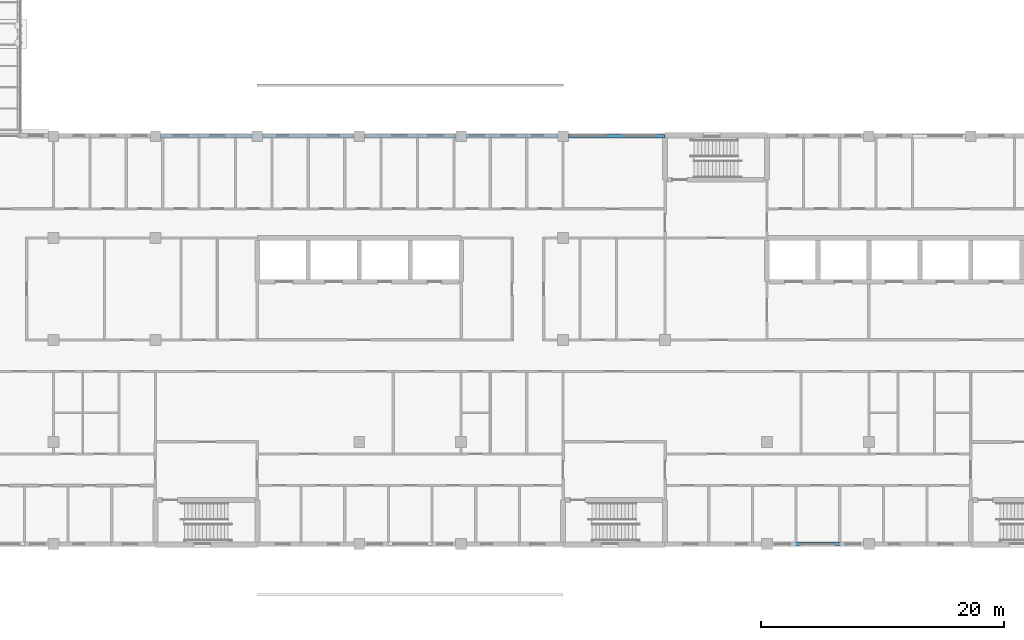
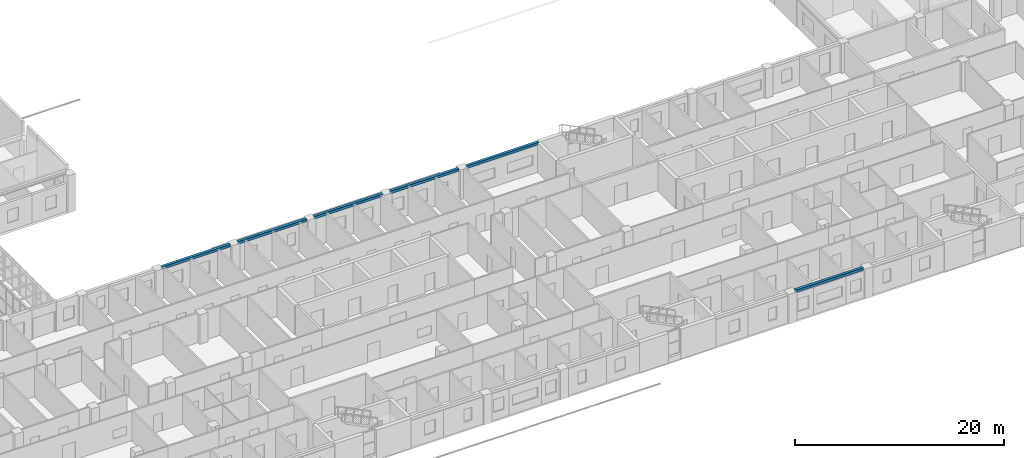
# One storey, part 25 of 94: 6 beams.
"""IFC4 building model written with IfcOpenShell, lengths in metres."""

from ifc_helpers import new_model, si_unit, direction, frame, origin, origin_2d, place, context, subcontext, project, spatial, rectangle, extrude, material, material_profile, profile_set, type_object, element, save


model = new_model("IFC4")

# Units and contexts
model_context = context("Model", 3, precision=1e-05, world=origin(), true_north=direction((0.0, 1.0)))
body_context = subcontext(model_context, "Body", "Model", "MODEL_VIEW")
ifc_project = project(units=[si_unit("LENGTHUNIT", "METRE"), si_unit("AREAUNIT", "SQUARE_METRE"), si_unit("VOLUMEUNIT", "CUBIC_METRE"), si_unit("PLANEANGLEUNIT", "RADIAN"), si_unit("MASSUNIT", "GRAM", prefix="KILO")], contexts=[model_context])

# Site, building, storey
site_placement = place(None, origin())
site = spatial("IfcSite", under=ifc_project, at=site_placement, CompositionType="ELEMENT")
building_placement = place(site_placement, origin())
building = spatial("IfcBuilding", under=site, at=building_placement, Name="Yavir Park General Hospital", CompositionType="ELEMENT")
storey_placement = place(building_placement, frame((0.0, 0.0, 4.5)))
storey = spatial("IfcBuildingStorey", under=building, at=storey_placement, Name="L01", CompositionType="ELEMENT", Elevation=4.5)

# Beams
ifc_material = material(Name="Concrete C35/45", Category="concrete")
ifc_material_profile = material_profile(ifc_material, rectangle(XDim=0.300048828125, YDim=0.300048828125, at=origin_2d()), Name="RC300x300")
ifc_profile_set = profile_set([ifc_material_profile], Name="Concrete C35/45")
beam_type = type_object("IfcBeamType", Name="RC BEAM 300x300 edge beam", PredefinedType="BEAM", material=ifc_profile_set)
beam_1_placement = place(storey_placement, frame((118.050048828125, 0.0, 3.300048828125), z_axis=(1.0, 0.0, 0.0), x_axis=(0.0, 1.0, 0.0)))
element("IfcBeam", 1, at=beam_1_placement, inside=storey, type_object=beam_type, Name="B:EDGE:L01:012", PredefinedType="BEAM", context=body_context, shape_type="SweptSolid", body=[
    extrude(rectangle(XDim=0.300048828125, YDim=0.300048828125, at=origin_2d()), origin(), (0.0, 0.0, 1.0), 7.5),
])
for number, where, z_axis, x_axis, name in (
    (2, (67.625, 33.60009765625, 3.300048828125), (1.0, 0.0, 0.0), (0.0, 1.0, 0.0), "B:EDGE:L01:020"),
    (3, (76.02490234375, 33.60009765625, 3.300048828125), (1.0, 0.0, 0.0), (0.0, 1.0, 0.0), "B:EDGE:L01:021"),
    (4, (84.425048828125, 33.60009765625, 3.300048828125), (1.0, 0.0, 0.0), (0.0, 1.0, 0.0), "B:EDGE:L01:022"),
    (5, (92.824951171875, 33.60009765625, 3.300048828125), (1.0, 0.0, 0.0), (0.0, 1.0, 0.0), "B:EDGE:L01:023"),
):
    element("IfcBeam", number, at=place(storey_placement, frame(where, z_axis=z_axis, x_axis=x_axis)), inside=storey, type_object=beam_type, Name=name, PredefinedType="BEAM", context=body_context, shape_type="SweptSolid", body=[
        extrude(rectangle(XDim=0.300048828125, YDim=0.300048828125, at=origin_2d()), origin(), (0.0, 0.0, 1.0), 7.550048828125),
    ])
beam_2_placement = place(storey_placement, frame((101.22509765625, 33.60009765625, 3.300048828125), z_axis=(1.0, 0.0, 0.0), x_axis=(0.0, 1.0, 0.0)))
element("IfcBeam", 6, at=beam_2_placement, inside=storey, type_object=beam_type, Name="B:EDGE:L01:024", PredefinedType="BEAM", context=body_context, shape_type="SweptSolid", body=[
    extrude(rectangle(XDim=0.300048828125, YDim=0.300048828125, at=origin_2d()), origin(), (0.0, 0.0, 1.0), 7.974853515625),
])

save(model, "model.ifc")
